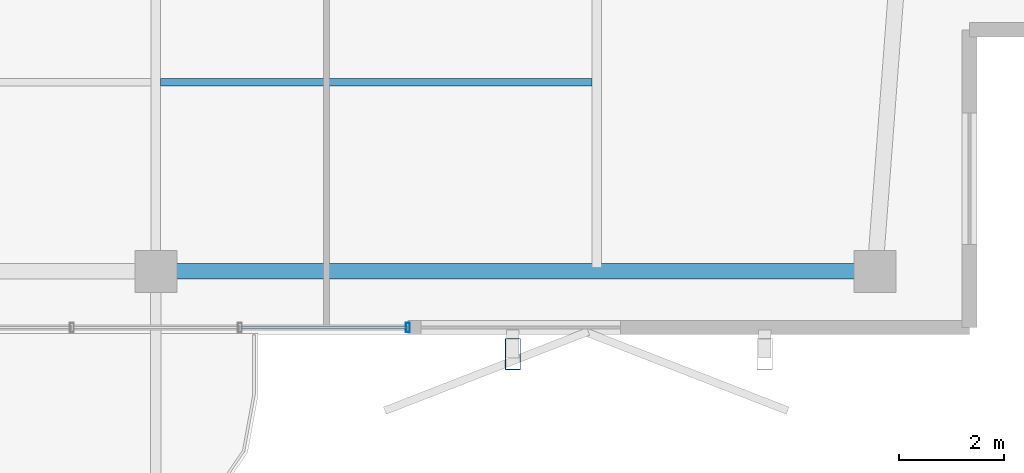
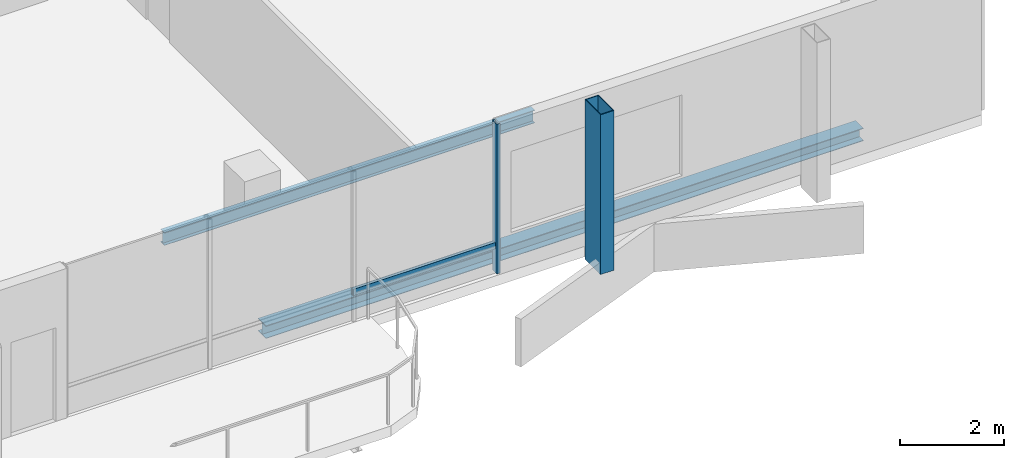
# One storey, part 4 of 22: 3 members, 2 beams, 1 element without a shape of its own.
"""IFC4 building model written with IfcOpenShell, lengths in metres."""

from ifc_helpers import new_model, si_unit, direction, frame, origin, origin_2d, place, context, subcontext, project, spatial, hollow_rectangle, i_section, extrude, material, layer, layer_set, material_profile, profile_set, type_object, element, aggregate, save


model = new_model("IFC4")

# Units and contexts
model_context = context("Model", 3, precision=1e-05, world=origin(), true_north=direction((0.0, 1.0)))
body_context = subcontext(model_context, "Body", "Model", "MODEL_VIEW")
ifc_project = project(units=[si_unit("LENGTHUNIT", "METRE"), si_unit("AREAUNIT", "SQUARE_METRE"), si_unit("VOLUMEUNIT", "CUBIC_METRE"), si_unit("PLANEANGLEUNIT", "RADIAN"), si_unit("MASSUNIT", "GRAM", prefix="KILO")], contexts=[model_context])

# Site, building, storey
site_placement = place(None, origin())
site = spatial("IfcSite", under=ifc_project, at=site_placement, CompositionType="ELEMENT")
building_placement = place(site_placement, origin())
building = spatial("IfcBuilding", under=site, at=building_placement, Name="Belovzor Exchange Tower", CompositionType="ELEMENT")
storey_placement = place(building_placement, frame((0.0, 0.0, 348.0)))
storey = spatial("IfcBuildingStorey", under=building, at=storey_placement, Name="L87", CompositionType="ELEMENT", Elevation=348.0)

# Beam
ifc_material_1 = material(Name="Steel S355", Category="steel")
ifc_material_profile_1 = material_profile(ifc_material_1, i_section(OverallWidth=0.14990234375, OverallDepth=0.300048828125, WebThickness=0.007080078125, FlangeThickness=0.0107421875, at=origin_2d()))
ifc_profile_set_1 = profile_set([ifc_material_profile_1], Name="Steel S355")
beam_type_1 = type_object("IfcBeamType", Name="Secondary Trim Floor Joist IPE 300", PredefinedType="BEAM", material=ifc_profile_set_1)
beam_1_placement = place(storey_placement, frame((28.889892578125, 12.302978515625, -0.389892578125), z_axis=(1.0, 0.0, 0.0), x_axis=(0.0, 1.0, 0.0)))
element("IfcBeam", 1, at=beam_1_placement, inside=storey, type_object=beam_type_1, Name="FJ-300 Secondary Trim Floor Joist IPE 300", PredefinedType="BEAM", context=body_context, shape_type="SweptSolid", body=[
    extrude(i_section(OverallWidth=0.14990234375, OverallDepth=0.300048828125, WebThickness=0.007080078125, FlangeThickness=0.0107421875, at=origin_2d()), origin(), (0.0, 0.0, 1.0), 8.22021484375),
])

# Curtain wall, members
ifc_material_2 = material(Name="Anodised Aluminium Framing", Category="aluminium")
ifc_layer = layer(ifc_material_2, 0.179931640625)
ifc_layer_set = layer_set([ifc_layer], Name="Anodised Aluminium Framing")
curtain_wall_type = type_object("IfcCurtainWallType", Name="Recessed Loggia Low-Iron Triple-Glazed Curtain Wall", PredefinedType="NOTDEFINED", material=ifc_layer_set)
curtain_wall_placement = place(storey_placement, origin())
curtain_wall = element("IfcCurtainWall", 2, at=curtain_wall_placement, inside=storey, type_object=curtain_wall_type, Name="CW3 Recessed Loggia Low-Iron Triple-Glazed Curtain Wall L87", PredefinedType="NOTDEFINED")
ifc_material_3 = material(Name="Steel S355", Category="steel")
ifc_material_profile_2 = material_profile(ifc_material_3, hollow_rectangle(XDim=0.074951171875, YDim=0.179931640625, WallThickness=0.0048828125, at=origin_2d()))
ifc_profile_set_2 = profile_set([ifc_material_profile_2], Name="Steel S355")
member_type_1 = type_object("IfcMemberType", Name="Thermally Broken Curtain Wall Mullion 180x75", PredefinedType="MULLION", material=ifc_profile_set_2)
member_1_placement = place(storey_placement, frame((33.60009765625, 7.6298828125, 0.0), z_axis=(0.0, 0.0, 1.0), x_axis=(-1.0, 0.0, 0.0)))
member_1 = element("IfcMember", 3, at=member_1_placement, type_object=member_type_1, Name="CW-M180 Curtain Wall Mullion 1", PredefinedType="MULLION", context=body_context, shape_type="SweptSolid", body=[
    extrude(hollow_rectangle(XDim=0.074951171875, YDim=0.179931640625, WallThickness=0.0048828125, at=origin_2d()), origin(), (0.0, 0.0, 1.0), 3.510009765625),
])
ifc_material_4 = material(Name="Steel S355", Category="steel")
ifc_material_profile_3 = material_profile(ifc_material_4, hollow_rectangle(XDim=0.06005859375, YDim=0.14990234375, WallThickness=0.00390625, at=origin_2d()))
ifc_profile_set_3 = profile_set([ifc_material_profile_3], Name="Steel S355")
member_type_2 = type_object("IfcMemberType", Name="Thermally Broken Curtain Wall Transom 150x60", PredefinedType="USERDEFINED", material=ifc_profile_set_3)
member_2_placement = place(storey_placement, frame((33.592041015625, 7.6298828125, 0.632080078125), z_axis=(-1.0, 0.0, 0.0), x_axis=(0.0, -1.0, 0.0)))
member_2 = element("IfcMember", 4, at=member_2_placement, type_object=member_type_2, Name="CW-T150 Curtain Wall Transom 1", ObjectType="TRANSOM", PredefinedType="USERDEFINED", context=body_context, shape_type="SweptSolid", body=[
    extrude(hollow_rectangle(XDim=0.06005859375, YDim=0.14990234375, WallThickness=0.00390625, at=origin_2d()), origin(), (0.0, 0.0, 1.0), 3.18408203125),
])
aggregate(curtain_wall, [member_1, member_2])

# Member
ifc_material_5 = material(Name="Extruded Architectural Terracotta on Steel S355 Carrier", Category="masonry")
ifc_material_profile_4 = material_profile(ifc_material_5, hollow_rectangle(XDim=0.300048828125, YDim=0.60009765625, WallThickness=0.01611328125, at=origin_2d()))
ifc_profile_set_4 = profile_set([ifc_material_profile_4], Name="Extruded Architectural Terracotta on Steel S355 Carrier")
member_type_3 = type_object("IfcMemberType", Name="Upper Crown Terracotta Fin Assembly 550", PredefinedType="USERDEFINED", material=ifc_profile_set_4)
member_3_placement = place(storey_placement, frame((35.60009765625, 7.125, -0.239990234375), z_axis=(0.0, 0.0, 1.0), x_axis=(1.0, 0.0, 0.0)))
element("IfcMember", 5, at=member_3_placement, inside=storey, type_object=member_type_3, Name="FIN-TC055 Terracotta Facade Fin L87 S3", ObjectType="FIN", PredefinedType="USERDEFINED", context=body_context, shape_type="SweptSolid", body=[
    extrude(hollow_rectangle(XDim=0.300048828125, YDim=0.60009765625, WallThickness=0.01611328125, at=origin_2d()), origin(), (0.0, 0.0, 1.0), 3.75),
])

# Beam
ifc_material_6 = material(Name="Steel S355", Category="steel")
ifc_material_profile_5 = material_profile(ifc_material_6, i_section(OverallWidth=0.300048828125, OverallDepth=0.300048828125, WebThickness=0.008544921875, FlangeThickness=0.013916015625, at=origin_2d()))
ifc_profile_set_5 = profile_set([ifc_material_profile_5], Name="Steel S355")
beam_type_2 = type_object("IfcBeamType", Name="Zone 6 Primary Girder HEA 300", PredefinedType="BEAM", material=ifc_profile_set_5)
beam_2_placement = place(storey_placement, frame((29.02001953125, 8.699951171875, -0.389892578125), z_axis=(1.0, 0.0, 0.0), x_axis=(0.0, 1.0, 0.0)))
element("IfcBeam", 6, at=beam_2_placement, inside=storey, type_object=beam_type_2, Name="FG-Z6 Zone 6 Primary Girder HEA 300", PredefinedType="BEAM", context=body_context, shape_type="SweptSolid", body=[
    extrude(i_section(OverallWidth=0.300048828125, OverallDepth=0.300048828125, WebThickness=0.008544921875, FlangeThickness=0.013916015625, at=origin_2d()), origin(), (0.0, 0.0, 1.0), 13.260009765625),
])

save(model, "model.ifc")
